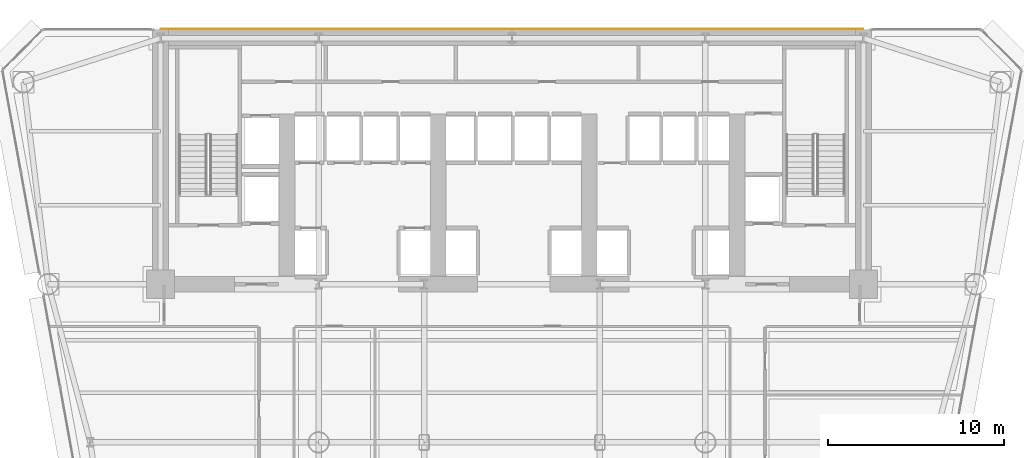
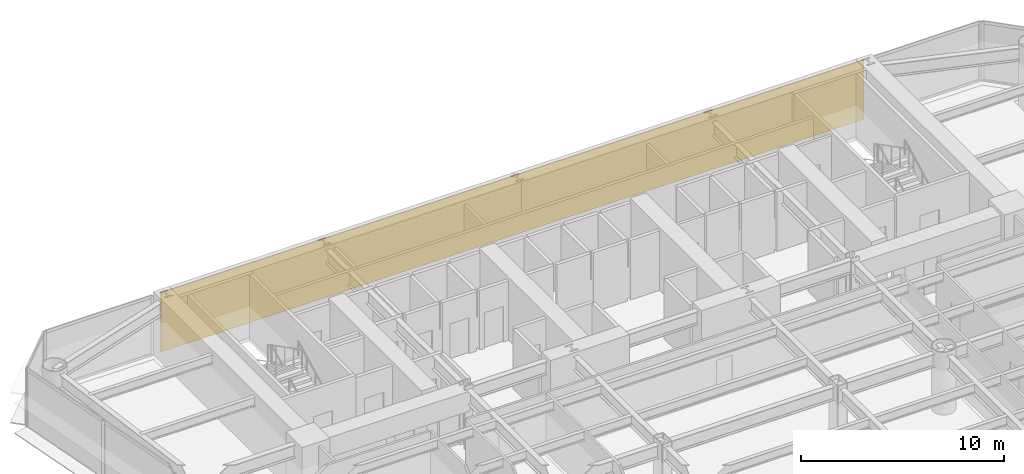
# One storey, part 13 of 14: 1 covering.
"""IFC4 building model written with IfcOpenShell, lengths in metres."""

from ifc_helpers import new_model, si_unit, direction, frame, origin, place, context, subcontext, project, spatial, polyline, outline, extrude, material, layer, layer_set, type_object, element, save


model = new_model("IFC4")

# Units and contexts
model_context = context("Model", 3, precision=1e-05, world=origin(), true_north=direction((0.0, 1.0)))
body_context = subcontext(model_context, "Body", "Model", "MODEL_VIEW")
ifc_project = project(units=[si_unit("LENGTHUNIT", "METRE"), si_unit("AREAUNIT", "SQUARE_METRE"), si_unit("VOLUMEUNIT", "CUBIC_METRE"), si_unit("PLANEANGLEUNIT", "RADIAN"), si_unit("MASSUNIT", "GRAM", prefix="KILO")], contexts=[model_context])

# Site, building, storey
site_placement = place(None, origin())
site = spatial("IfcSite", under=ifc_project, at=site_placement, CompositionType="ELEMENT")
building_placement = place(site_placement, origin())
building = spatial("IfcBuilding", under=site, at=building_placement, Name="Vaeldorn Concourse Tower", CompositionType="ELEMENT")
storey_placement = place(building_placement, frame((0.0, 0.0, 53.0)))
storey = spatial("IfcBuildingStorey", under=building, at=storey_placement, Name="L13", CompositionType="ELEMENT", Elevation=53.0)

# Covering
ifc_material = material(Name="Anodised Bronze Aluminium", Category="aluminium")
ifc_layer = layer(ifc_material, 0.050048828125)
ifc_layer_set = layer_set([ifc_layer], Name="Anodised Bronze Aluminium")
covering_type = type_object("IfcCoveringType", Name="COV-CLAD-BRONZE", PredefinedType="CLADDING", material=ifc_layer_set)
covering_placement = place(storey_placement, origin())
element("IfcCovering", 1, at=covering_placement, inside=storey, type_object=covering_type, Name="Rear Core Bronze Spandrel Cladding L13", PredefinedType="CLADDING", context=body_context, shape_type="SweptSolid", body=[
    extrude(outline(polyline([(14.0, 51.0), (54.0, 51.0), (54.0, 51.050048828125), (14.0, 51.050048828125), (14.0, 51.0)])), origin(), (0.0, 0.0, 1.0), 3.580078125),
])

save(model, "model.ifc")
